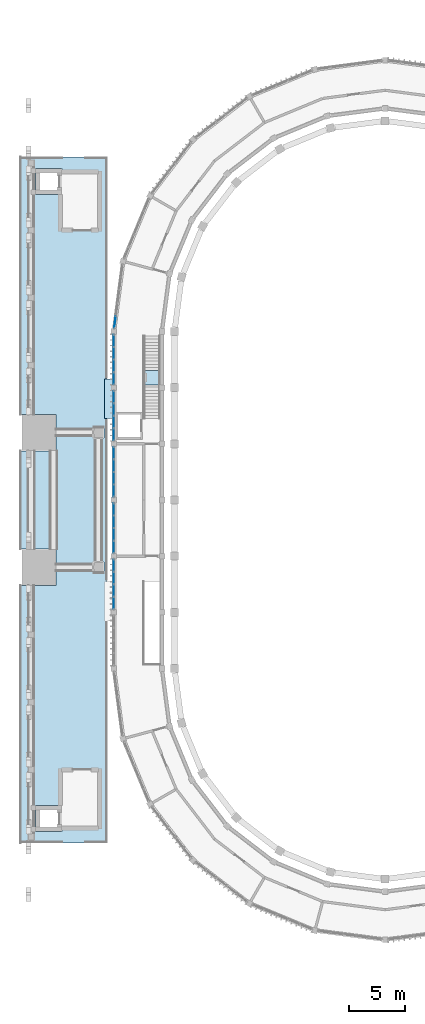
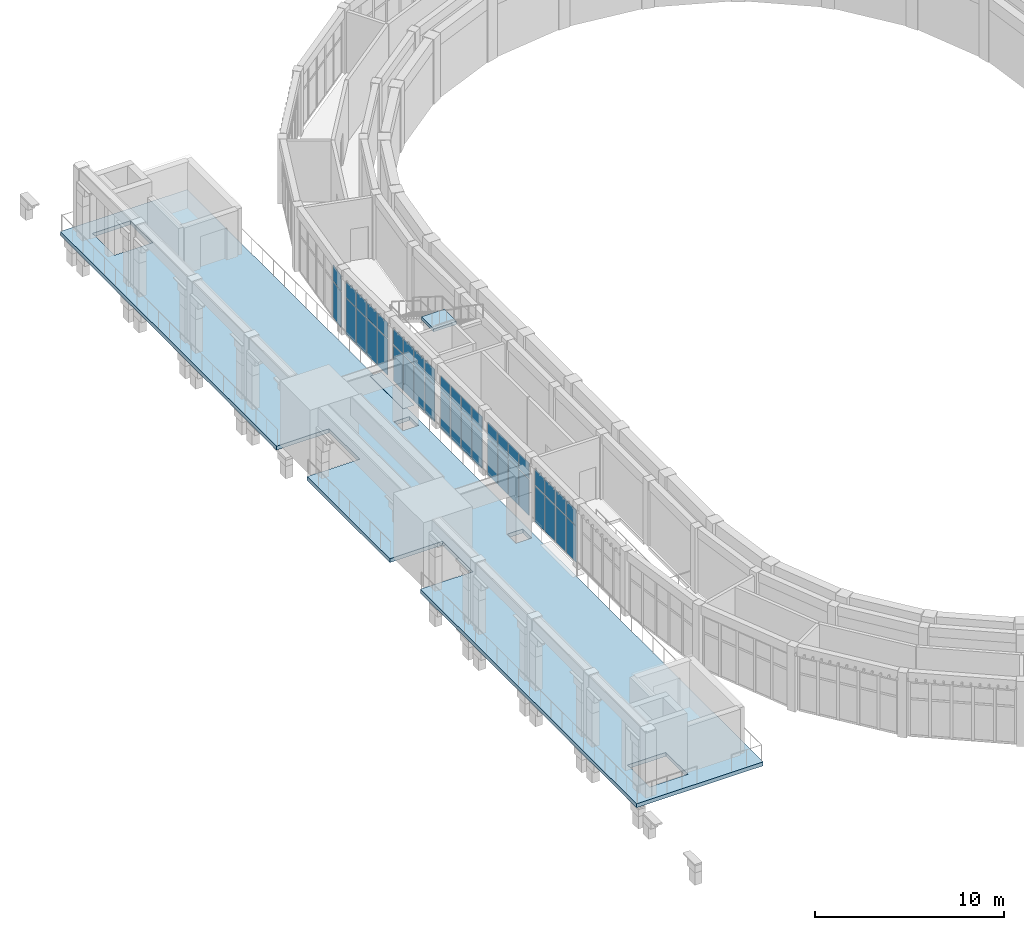
# One storey, part 41 of 99: 43 plates, 2 slabs, 7 elements without a shape of their own.
"""IFC4 building model written with IfcOpenShell, lengths in metres."""

from ifc_helpers import new_model, si_unit, direction, frame, origin, origin_2d, place, context, subcontext, project, spatial, polyline, rectangle, outline, extrude, material, layer, layer_set, type_object, element, aggregate, save


model = new_model("IFC4")

# Units and contexts
model_context = context("Model", 3, precision=1e-05, world=origin(), true_north=direction((0.0, 1.0)))
body_context = subcontext(model_context, "Body", "Model", "MODEL_VIEW")
ifc_project = project(units=[si_unit("LENGTHUNIT", "METRE"), si_unit("AREAUNIT", "SQUARE_METRE"), si_unit("VOLUMEUNIT", "CUBIC_METRE"), si_unit("PLANEANGLEUNIT", "RADIAN"), si_unit("MASSUNIT", "GRAM", prefix="KILO")], contexts=[model_context])

# Site, building, storey
site_placement = place(None, origin())
site = spatial("IfcSite", under=ifc_project, at=site_placement, CompositionType="ELEMENT")
building_placement = place(site_placement, origin())
building = spatial("IfcBuilding", under=site, at=building_placement, Name="Wasatch Bagh Community Centre", CompositionType="ELEMENT")
storey_placement = place(building_placement, frame((0.0, 0.0, 4.199951171875)))
storey = spatial("IfcBuildingStorey", under=building, at=storey_placement, Name="L01", CompositionType="ELEMENT", Elevation=4.199951171875)

# Plate
ifc_material_1 = material(Name="Aluminium chequer plate", Category="aluminium")
ifc_layer_1 = layer(ifc_material_1, 0.008056640625)
ifc_layer_set_1 = layer_set([ifc_layer_1], Name="Aluminium chequer plate")
plate_type_1 = type_object("IfcPlateType", Name="CT-J1", PredefinedType="SHEET", material=ifc_layer_set_1)
plate_1_placement = place(storey_placement, frame((11.375, 59.0, 0.0), z_axis=(0.0, 0.0, 1.0), x_axis=(1.0, 0.0, 0.0)))
element("IfcPlate", 1, at=plate_1_placement, inside=storey, type_object=plate_type_1, Name="joint cover plate 2", PredefinedType="SHEET", context=body_context, shape_type="SweptSolid", body=[
    extrude(rectangle(XDim=0.699951171875, YDim=3.5, at=origin_2d()), origin(), (0.0, 0.0, 1.0), 0.008056640625),
])

# Slab
ifc_material_2 = material(Name="Concrete C35", Category="concrete")
ifc_layer_2 = layer(ifc_material_2, 0.25)
ifc_layer_set_2 = layer_set([ifc_layer_2], Name="Concrete C35")
slab_type_1 = type_object("IfcSlabType", Name="CT-S1", PredefinedType="FLOOR", material=ifc_layer_set_2)
slab_1_placement = place(storey_placement, frame((0.0, 0.0, -0.25)))
element("IfcSlab", 2, at=slab_1_placement, inside=storey, type_object=slab_type_1, Name="CT-S1 roof terrace slab", PredefinedType="FLOOR", context=body_context, shape_type="SweptSolid", body=[
    extrude(outline(polyline([(3.5, 80.52001953125), (11.25, 80.52001953125), (11.25, 19.47998046875), (3.5, 19.47998046875), (3.5, 42.3798828125), (6.719970703125, 42.3798828125), (6.719970703125, 45.6201171875), (3.5, 45.6201171875), (3.5, 54.3798828125), (6.719970703125, 54.3798828125), (6.719970703125, 57.6201171875), (3.5, 57.6201171875), (3.5, 80.52001953125)]), holes=[polyline([(4.8798828125, 20.47998046875), (7.219970703125, 20.47998046875), (7.219970703125, 22.820068359375), (4.8798828125, 22.820068359375), (4.8798828125, 20.47998046875)]), polyline([(10.030029296875, 44.469970703125), (10.030029296875, 43.530029296875), (10.969970703125, 43.530029296875), (10.969970703125, 44.469970703125), (10.030029296875, 44.469970703125)]), polyline([(10.030029296875, 56.469970703125), (10.030029296875, 55.530029296875), (10.969970703125, 55.530029296875), (10.969970703125, 56.469970703125), (10.030029296875, 56.469970703125)]), polyline([(4.8798828125, 79.52001953125), (4.8798828125, 77.179931640625), (7.219970703125, 77.179931640625), (7.219970703125, 79.52001953125), (4.8798828125, 79.52001953125)])]), origin(), (0.0, 0.0, 1.0), 0.25),
])

# Curtain wall, plates
ifc_material_3 = material(Name="Aluminium curtain wall frame with low-iron insulated glass", Category="aluminium")
ifc_layer_3 = layer(ifc_material_3, 0.14990234375)
ifc_layer_set_3 = layer_set([ifc_layer_3], Name="Aluminium curtain wall frame with low-iron insulated glass")
curtain_wall_type_1 = type_object("IfcCurtainWallType", Name="Drum curtain wall DR-CW2", PredefinedType="NOTDEFINED", material=ifc_layer_set_3)
curtain_wall_1_placement = place(storey_placement, origin())
curtain_wall_1 = element("IfcCurtainWall", 3, at=curtain_wall_1_placement, inside=storey, type_object=curtain_wall_type_1, Name="Curtain wall DR-CW2 30", PredefinedType="NOTDEFINED")
ifc_material_4 = material(Name="Low-iron insulated glass", Category="glass")
ifc_layer_4 = layer(ifc_material_4, 0.028076171875)
ifc_layer_set_4 = layer_set([ifc_layer_4], Name="Low-iron insulated glass")
plate_type_2 = type_object("IfcPlateType", Name="Drum glass panel DR-CW2", PredefinedType="CURTAIN_PANEL", material=ifc_layer_set_4)
plate_2_placement = place(storey_placement, frame((11.961669921875, 65.84814453125, 0.06005859375), z_axis=(0.0, 0.0, 1.0), x_axis=(-0.130526192185, -0.991444861378, 0.0)))
plate_2 = element("IfcPlate", 4, at=plate_2_placement, type_object=plate_type_2, Name="DR-CW2 panel 5.1", PredefinedType="CURTAIN_PANEL", context=body_context, shape_type="SweptSolid", body=[
    extrude(rectangle(XDim=1.06591796875, YDim=0.028076171875, at=origin_2d()), origin(), (0.0, 0.0, 1.0), 2.31005859375),
])
plate_3_placement = place(storey_placement, frame((11.961669921875, 65.84814453125, 2.43017578125), z_axis=(0.0, 0.0, 1.0), x_axis=(-0.130526192185, -0.991444861378, 0.0)))
plate_3 = element("IfcPlate", 5, at=plate_3_placement, type_object=plate_type_2, Name="DR-CW2 panel 5.2", PredefinedType="CURTAIN_PANEL", context=body_context, shape_type="SweptSolid", body=[
    extrude(rectangle(XDim=1.06591796875, YDim=0.028076171875, at=origin_2d()), origin(), (0.0, 0.0, 1.0), 1.010009765625),
])
aggregate(curtain_wall_1, [plate_2, plate_3])

ifc_layer_5 = layer(ifc_material_3, 0.14990234375)
ifc_layer_set_5 = layer_set([ifc_layer_5], Name="Aluminium curtain wall frame with low-iron insulated glass")
curtain_wall_type_2 = type_object("IfcCurtainWallType", Name="Drum curtain wall DR-CW4", PredefinedType="NOTDEFINED", material=ifc_layer_set_5)
curtain_wall_2_placement = place(storey_placement, origin())
curtain_wall_2 = element("IfcCurtainWall", 6, at=curtain_wall_2_placement, inside=storey, type_object=curtain_wall_type_2, Name="Curtain wall DR-CW4 31", PredefinedType="NOTDEFINED")
ifc_layer_6 = layer(ifc_material_4, 0.028076171875)
ifc_layer_set_6 = layer_set([ifc_layer_6], Name="Low-iron insulated glass")
plate_type_3 = type_object("IfcPlateType", Name="Drum glass panel DR-CW4", PredefinedType="CURTAIN_PANEL", material=ifc_layer_set_6)
plate_4_placement = place(storey_placement, frame((11.85009765625, 64.172119140625, 0.06005859375), z_axis=(0.0, 0.0, 1.0), x_axis=(0.0, -1.0, 0.0)))
plate_4 = element("IfcPlate", 7, at=plate_4_placement, type_object=plate_type_3, Name="DR-CW4 panel 1.1", PredefinedType="CURTAIN_PANEL", context=body_context, shape_type="SweptSolid", body=[
    extrude(rectangle(XDim=1.03466796875, YDim=0.028076171875, at=origin_2d()), origin(), (0.0, 0.0, 1.0), 2.31005859375),
])
plate_5_placement = place(storey_placement, frame((11.85009765625, 64.172119140625, 2.43017578125), z_axis=(0.0, 0.0, 1.0), x_axis=(0.0, -1.0, 0.0)))
plate_5 = element("IfcPlate", 8, at=plate_5_placement, type_object=plate_type_3, Name="DR-CW4 panel 1.2", PredefinedType="CURTAIN_PANEL", context=body_context, shape_type="SweptSolid", body=[
    extrude(rectangle(XDim=1.03466796875, YDim=0.028076171875, at=origin_2d()), origin(), (0.0, 0.0, 1.0), 1.010009765625),
])
plate_6_placement = place(storey_placement, frame((11.85009765625, 63.062255859375, 0.06005859375), z_axis=(0.0, 0.0, 1.0), x_axis=(0.0, -1.0, 0.0)))
plate_6 = element("IfcPlate", 9, at=plate_6_placement, type_object=plate_type_3, Name="DR-CW4 panel 2.1", PredefinedType="CURTAIN_PANEL", context=body_context, shape_type="SweptSolid", body=[
    extrude(rectangle(XDim=1.064697265625, YDim=0.028076171875, at=origin_2d()), origin(), (0.0, 0.0, 1.0), 2.31005859375),
])
plate_7_placement = place(storey_placement, frame((11.85009765625, 63.062255859375, 2.43017578125), z_axis=(0.0, 0.0, 1.0), x_axis=(0.0, -1.0, 0.0)))
plate_7 = element("IfcPlate", 10, at=plate_7_placement, type_object=plate_type_3, Name="DR-CW4 panel 2.2", PredefinedType="CURTAIN_PANEL", context=body_context, shape_type="SweptSolid", body=[
    extrude(rectangle(XDim=1.064697265625, YDim=0.028076171875, at=origin_2d()), origin(), (0.0, 0.0, 1.0), 1.010009765625),
])
plate_8_placement = place(storey_placement, frame((11.85009765625, 61.937744140625, 0.06005859375), z_axis=(0.0, 0.0, 1.0), x_axis=(0.0, -1.0, 0.0)))
plate_8 = element("IfcPlate", 11, at=plate_8_placement, type_object=plate_type_3, Name="DR-CW4 panel 3.1", PredefinedType="CURTAIN_PANEL", context=body_context, shape_type="SweptSolid", body=[
    extrude(rectangle(XDim=1.064697265625, YDim=0.028076171875, at=origin_2d()), origin(), (0.0, 0.0, 1.0), 2.31005859375),
])
plate_9_placement = place(storey_placement, frame((11.85009765625, 61.937744140625, 2.43017578125), z_axis=(0.0, 0.0, 1.0), x_axis=(0.0, -1.0, 0.0)))
plate_9 = element("IfcPlate", 12, at=plate_9_placement, type_object=plate_type_3, Name="DR-CW4 panel 3.2", PredefinedType="CURTAIN_PANEL", context=body_context, shape_type="SweptSolid", body=[
    extrude(rectangle(XDim=1.064697265625, YDim=0.028076171875, at=origin_2d()), origin(), (0.0, 0.0, 1.0), 1.010009765625),
])
plate_10_placement = place(storey_placement, frame((11.85009765625, 60.827880859375, 0.06005859375), z_axis=(0.0, 0.0, 1.0), x_axis=(0.0, -1.0, 0.0)))
plate_10 = element("IfcPlate", 13, at=plate_10_placement, type_object=plate_type_3, Name="DR-CW4 panel 4.1", PredefinedType="CURTAIN_PANEL", context=body_context, shape_type="SweptSolid", body=[
    extrude(rectangle(XDim=1.03466796875, YDim=0.028076171875, at=origin_2d()), origin(), (0.0, 0.0, 1.0), 2.31005859375),
])
plate_11_placement = place(storey_placement, frame((11.85009765625, 60.827880859375, 2.43017578125), z_axis=(0.0, 0.0, 1.0), x_axis=(0.0, -1.0, 0.0)))
plate_11 = element("IfcPlate", 14, at=plate_11_placement, type_object=plate_type_3, Name="DR-CW4 panel 4.2", PredefinedType="CURTAIN_PANEL", context=body_context, shape_type="SweptSolid", body=[
    extrude(rectangle(XDim=1.03466796875, YDim=0.028076171875, at=origin_2d()), origin(), (0.0, 0.0, 1.0), 1.010009765625),
])
aggregate(curtain_wall_2, [plate_4, plate_5, plate_6, plate_7, plate_8, plate_9, plate_10, plate_11])

curtain_wall_3_placement = place(storey_placement, origin())
curtain_wall_3 = element("IfcCurtainWall", 15, at=curtain_wall_3_placement, inside=storey, type_object=curtain_wall_type_2, Name="Curtain wall DR-CW4 32", PredefinedType="NOTDEFINED")
plate_12_placement = place(storey_placement, frame((11.85009765625, 59.172119140625, 0.06005859375), z_axis=(0.0, 0.0, 1.0), x_axis=(0.0, -1.0, 0.0)))
plate_12 = element("IfcPlate", 16, at=plate_12_placement, type_object=plate_type_3, Name="DR-CW4 panel 1.1", PredefinedType="CURTAIN_PANEL", context=body_context, shape_type="SweptSolid", body=[
    extrude(rectangle(XDim=1.03466796875, YDim=0.028076171875, at=origin_2d()), origin(), (0.0, 0.0, 1.0), 2.31005859375),
])
plate_13_placement = place(storey_placement, frame((11.85009765625, 59.172119140625, 2.43017578125), z_axis=(0.0, 0.0, 1.0), x_axis=(0.0, -1.0, 0.0)))
plate_13 = element("IfcPlate", 17, at=plate_13_placement, type_object=plate_type_3, Name="DR-CW4 panel 1.2", PredefinedType="CURTAIN_PANEL", context=body_context, shape_type="SweptSolid", body=[
    extrude(rectangle(XDim=1.03466796875, YDim=0.028076171875, at=origin_2d()), origin(), (0.0, 0.0, 1.0), 1.010009765625),
])
plate_14_placement = place(storey_placement, frame((11.85009765625, 58.062255859375, 0.06005859375), z_axis=(0.0, 0.0, 1.0), x_axis=(0.0, -1.0, 0.0)))
plate_14 = element("IfcPlate", 18, at=plate_14_placement, type_object=plate_type_3, Name="DR-CW4 panel 2.1", PredefinedType="CURTAIN_PANEL", context=body_context, shape_type="SweptSolid", body=[
    extrude(rectangle(XDim=1.064697265625, YDim=0.028076171875, at=origin_2d()), origin(), (0.0, 0.0, 1.0), 2.31005859375),
])
plate_15_placement = place(storey_placement, frame((11.85009765625, 58.062255859375, 2.43017578125), z_axis=(0.0, 0.0, 1.0), x_axis=(0.0, -1.0, 0.0)))
plate_15 = element("IfcPlate", 19, at=plate_15_placement, type_object=plate_type_3, Name="DR-CW4 panel 2.2", PredefinedType="CURTAIN_PANEL", context=body_context, shape_type="SweptSolid", body=[
    extrude(rectangle(XDim=1.064697265625, YDim=0.028076171875, at=origin_2d()), origin(), (0.0, 0.0, 1.0), 1.010009765625),
])
plate_16_placement = place(storey_placement, frame((11.85009765625, 56.937744140625, 0.06005859375), z_axis=(0.0, 0.0, 1.0), x_axis=(0.0, -1.0, 0.0)))
plate_16 = element("IfcPlate", 20, at=plate_16_placement, type_object=plate_type_3, Name="DR-CW4 panel 3.1", PredefinedType="CURTAIN_PANEL", context=body_context, shape_type="SweptSolid", body=[
    extrude(rectangle(XDim=1.064697265625, YDim=0.028076171875, at=origin_2d()), origin(), (0.0, 0.0, 1.0), 2.31005859375),
])
plate_17_placement = place(storey_placement, frame((11.85009765625, 56.937744140625, 2.43017578125), z_axis=(0.0, 0.0, 1.0), x_axis=(0.0, -1.0, 0.0)))
plate_17 = element("IfcPlate", 21, at=plate_17_placement, type_object=plate_type_3, Name="DR-CW4 panel 3.2", PredefinedType="CURTAIN_PANEL", context=body_context, shape_type="SweptSolid", body=[
    extrude(rectangle(XDim=1.064697265625, YDim=0.028076171875, at=origin_2d()), origin(), (0.0, 0.0, 1.0), 1.010009765625),
])
plate_18_placement = place(storey_placement, frame((11.85009765625, 55.827880859375, 0.06005859375), z_axis=(0.0, 0.0, 1.0), x_axis=(0.0, -1.0, 0.0)))
plate_18 = element("IfcPlate", 22, at=plate_18_placement, type_object=plate_type_3, Name="DR-CW4 panel 4.1", PredefinedType="CURTAIN_PANEL", context=body_context, shape_type="SweptSolid", body=[
    extrude(rectangle(XDim=1.03466796875, YDim=0.028076171875, at=origin_2d()), origin(), (0.0, 0.0, 1.0), 2.31005859375),
])
plate_19_placement = place(storey_placement, frame((11.85009765625, 55.827880859375, 2.43017578125), z_axis=(0.0, 0.0, 1.0), x_axis=(0.0, -1.0, 0.0)))
plate_19 = element("IfcPlate", 23, at=plate_19_placement, type_object=plate_type_3, Name="DR-CW4 panel 4.2", PredefinedType="CURTAIN_PANEL", context=body_context, shape_type="SweptSolid", body=[
    extrude(rectangle(XDim=1.03466796875, YDim=0.028076171875, at=origin_2d()), origin(), (0.0, 0.0, 1.0), 1.010009765625),
])
aggregate(curtain_wall_3, [plate_12, plate_13, plate_14, plate_15, plate_16, plate_17, plate_18, plate_19])

curtain_wall_4_placement = place(storey_placement, origin())
curtain_wall_4 = element("IfcCurtainWall", 24, at=curtain_wall_4_placement, inside=storey, type_object=curtain_wall_type_2, Name="Curtain wall DR-CW4 33", PredefinedType="NOTDEFINED")
plate_20_placement = place(storey_placement, frame((11.85009765625, 54.172119140625, 0.06005859375), z_axis=(0.0, 0.0, 1.0), x_axis=(0.0, -1.0, 0.0)))
plate_20 = element("IfcPlate", 25, at=plate_20_placement, type_object=plate_type_3, Name="DR-CW4 panel 1.1", PredefinedType="CURTAIN_PANEL", context=body_context, shape_type="SweptSolid", body=[
    extrude(rectangle(XDim=1.03466796875, YDim=0.028076171875, at=origin_2d()), origin(), (0.0, 0.0, 1.0), 2.31005859375),
])
plate_21_placement = place(storey_placement, frame((11.85009765625, 54.172119140625, 2.43017578125), z_axis=(0.0, 0.0, 1.0), x_axis=(0.0, -1.0, 0.0)))
plate_21 = element("IfcPlate", 26, at=plate_21_placement, type_object=plate_type_3, Name="DR-CW4 panel 1.2", PredefinedType="CURTAIN_PANEL", context=body_context, shape_type="SweptSolid", body=[
    extrude(rectangle(XDim=1.03466796875, YDim=0.028076171875, at=origin_2d()), origin(), (0.0, 0.0, 1.0), 1.010009765625),
])
plate_22_placement = place(storey_placement, frame((11.85009765625, 53.062255859375, 0.06005859375), z_axis=(0.0, 0.0, 1.0), x_axis=(0.0, -1.0, 0.0)))
plate_22 = element("IfcPlate", 27, at=plate_22_placement, type_object=plate_type_3, Name="DR-CW4 panel 2.1", PredefinedType="CURTAIN_PANEL", context=body_context, shape_type="SweptSolid", body=[
    extrude(rectangle(XDim=1.064697265625, YDim=0.028076171875, at=origin_2d()), origin(), (0.0, 0.0, 1.0), 2.31005859375),
])
plate_23_placement = place(storey_placement, frame((11.85009765625, 53.062255859375, 2.43017578125), z_axis=(0.0, 0.0, 1.0), x_axis=(0.0, -1.0, 0.0)))
plate_23 = element("IfcPlate", 28, at=plate_23_placement, type_object=plate_type_3, Name="DR-CW4 panel 2.2", PredefinedType="CURTAIN_PANEL", context=body_context, shape_type="SweptSolid", body=[
    extrude(rectangle(XDim=1.064697265625, YDim=0.028076171875, at=origin_2d()), origin(), (0.0, 0.0, 1.0), 1.010009765625),
])
plate_24_placement = place(storey_placement, frame((11.85009765625, 51.937744140625, 0.06005859375), z_axis=(0.0, 0.0, 1.0), x_axis=(0.0, -1.0, 0.0)))
plate_24 = element("IfcPlate", 29, at=plate_24_placement, type_object=plate_type_3, Name="DR-CW4 panel 3.1", PredefinedType="CURTAIN_PANEL", context=body_context, shape_type="SweptSolid", body=[
    extrude(rectangle(XDim=1.064697265625, YDim=0.028076171875, at=origin_2d()), origin(), (0.0, 0.0, 1.0), 2.31005859375),
])
plate_25_placement = place(storey_placement, frame((11.85009765625, 51.937744140625, 2.43017578125), z_axis=(0.0, 0.0, 1.0), x_axis=(0.0, -1.0, 0.0)))
plate_25 = element("IfcPlate", 30, at=plate_25_placement, type_object=plate_type_3, Name="DR-CW4 panel 3.2", PredefinedType="CURTAIN_PANEL", context=body_context, shape_type="SweptSolid", body=[
    extrude(rectangle(XDim=1.064697265625, YDim=0.028076171875, at=origin_2d()), origin(), (0.0, 0.0, 1.0), 1.010009765625),
])
plate_26_placement = place(storey_placement, frame((11.85009765625, 50.827880859375, 0.06005859375), z_axis=(0.0, 0.0, 1.0), x_axis=(0.0, -1.0, 0.0)))
plate_26 = element("IfcPlate", 31, at=plate_26_placement, type_object=plate_type_3, Name="DR-CW4 panel 4.1", PredefinedType="CURTAIN_PANEL", context=body_context, shape_type="SweptSolid", body=[
    extrude(rectangle(XDim=1.03466796875, YDim=0.028076171875, at=origin_2d()), origin(), (0.0, 0.0, 1.0), 2.31005859375),
])
plate_27_placement = place(storey_placement, frame((11.85009765625, 50.827880859375, 2.43017578125), z_axis=(0.0, 0.0, 1.0), x_axis=(0.0, -1.0, 0.0)))
plate_27 = element("IfcPlate", 32, at=plate_27_placement, type_object=plate_type_3, Name="DR-CW4 panel 4.2", PredefinedType="CURTAIN_PANEL", context=body_context, shape_type="SweptSolid", body=[
    extrude(rectangle(XDim=1.03466796875, YDim=0.028076171875, at=origin_2d()), origin(), (0.0, 0.0, 1.0), 1.010009765625),
])
aggregate(curtain_wall_4, [plate_20, plate_21, plate_22, plate_23, plate_24, plate_25, plate_26, plate_27])

curtain_wall_5_placement = place(storey_placement, origin())
curtain_wall_5 = element("IfcCurtainWall", 33, at=curtain_wall_5_placement, inside=storey, type_object=curtain_wall_type_2, Name="Curtain wall DR-CW4 34", PredefinedType="NOTDEFINED")
plate_28_placement = place(storey_placement, frame((11.85009765625, 49.172119140625, 0.06005859375), z_axis=(0.0, 0.0, 1.0), x_axis=(0.0, -1.0, 0.0)))
plate_28 = element("IfcPlate", 34, at=plate_28_placement, type_object=plate_type_3, Name="DR-CW4 panel 1.1", PredefinedType="CURTAIN_PANEL", context=body_context, shape_type="SweptSolid", body=[
    extrude(rectangle(XDim=1.03466796875, YDim=0.028076171875, at=origin_2d()), origin(), (0.0, 0.0, 1.0), 2.31005859375),
])
plate_29_placement = place(storey_placement, frame((11.85009765625, 49.172119140625, 2.43017578125), z_axis=(0.0, 0.0, 1.0), x_axis=(0.0, -1.0, 0.0)))
plate_29 = element("IfcPlate", 35, at=plate_29_placement, type_object=plate_type_3, Name="DR-CW4 panel 1.2", PredefinedType="CURTAIN_PANEL", context=body_context, shape_type="SweptSolid", body=[
    extrude(rectangle(XDim=1.03466796875, YDim=0.028076171875, at=origin_2d()), origin(), (0.0, 0.0, 1.0), 1.010009765625),
])
plate_30_placement = place(storey_placement, frame((11.85009765625, 48.062255859375, 0.06005859375), z_axis=(0.0, 0.0, 1.0), x_axis=(0.0, -1.0, 0.0)))
plate_30 = element("IfcPlate", 36, at=plate_30_placement, type_object=plate_type_3, Name="DR-CW4 panel 2.1", PredefinedType="CURTAIN_PANEL", context=body_context, shape_type="SweptSolid", body=[
    extrude(rectangle(XDim=1.064697265625, YDim=0.028076171875, at=origin_2d()), origin(), (0.0, 0.0, 1.0), 2.31005859375),
])
plate_31_placement = place(storey_placement, frame((11.85009765625, 48.062255859375, 2.43017578125), z_axis=(0.0, 0.0, 1.0), x_axis=(0.0, -1.0, 0.0)))
plate_31 = element("IfcPlate", 37, at=plate_31_placement, type_object=plate_type_3, Name="DR-CW4 panel 2.2", PredefinedType="CURTAIN_PANEL", context=body_context, shape_type="SweptSolid", body=[
    extrude(rectangle(XDim=1.064697265625, YDim=0.028076171875, at=origin_2d()), origin(), (0.0, 0.0, 1.0), 1.010009765625),
])
plate_32_placement = place(storey_placement, frame((11.85009765625, 46.937744140625, 0.06005859375), z_axis=(0.0, 0.0, 1.0), x_axis=(0.0, -1.0, 0.0)))
plate_32 = element("IfcPlate", 38, at=plate_32_placement, type_object=plate_type_3, Name="DR-CW4 panel 3.1", PredefinedType="CURTAIN_PANEL", context=body_context, shape_type="SweptSolid", body=[
    extrude(rectangle(XDim=1.064697265625, YDim=0.028076171875, at=origin_2d()), origin(), (0.0, 0.0, 1.0), 2.31005859375),
])
plate_33_placement = place(storey_placement, frame((11.85009765625, 46.937744140625, 2.43017578125), z_axis=(0.0, 0.0, 1.0), x_axis=(0.0, -1.0, 0.0)))
plate_33 = element("IfcPlate", 39, at=plate_33_placement, type_object=plate_type_3, Name="DR-CW4 panel 3.2", PredefinedType="CURTAIN_PANEL", context=body_context, shape_type="SweptSolid", body=[
    extrude(rectangle(XDim=1.064697265625, YDim=0.028076171875, at=origin_2d()), origin(), (0.0, 0.0, 1.0), 1.010009765625),
])
plate_34_placement = place(storey_placement, frame((11.85009765625, 45.827880859375, 0.06005859375), z_axis=(0.0, 0.0, 1.0), x_axis=(0.0, -1.0, 0.0)))
plate_34 = element("IfcPlate", 40, at=plate_34_placement, type_object=plate_type_3, Name="DR-CW4 panel 4.1", PredefinedType="CURTAIN_PANEL", context=body_context, shape_type="SweptSolid", body=[
    extrude(rectangle(XDim=1.03466796875, YDim=0.028076171875, at=origin_2d()), origin(), (0.0, 0.0, 1.0), 2.31005859375),
])
plate_35_placement = place(storey_placement, frame((11.85009765625, 45.827880859375, 2.43017578125), z_axis=(0.0, 0.0, 1.0), x_axis=(0.0, -1.0, 0.0)))
plate_35 = element("IfcPlate", 41, at=plate_35_placement, type_object=plate_type_3, Name="DR-CW4 panel 4.2", PredefinedType="CURTAIN_PANEL", context=body_context, shape_type="SweptSolid", body=[
    extrude(rectangle(XDim=1.03466796875, YDim=0.028076171875, at=origin_2d()), origin(), (0.0, 0.0, 1.0), 1.010009765625),
])
aggregate(curtain_wall_5, [plate_28, plate_29, plate_30, plate_31, plate_32, plate_33, plate_34, plate_35])

curtain_wall_6_placement = place(storey_placement, origin())
curtain_wall_6 = element("IfcCurtainWall", 42, at=curtain_wall_6_placement, inside=storey, type_object=curtain_wall_type_2, Name="Curtain wall DR-CW4 35", PredefinedType="NOTDEFINED")
plate_36_placement = place(storey_placement, frame((11.85009765625, 44.172119140625, 0.06005859375), z_axis=(0.0, 0.0, 1.0), x_axis=(0.0, -1.0, 0.0)))
plate_36 = element("IfcPlate", 43, at=plate_36_placement, type_object=plate_type_3, Name="DR-CW4 panel 1.1", PredefinedType="CURTAIN_PANEL", context=body_context, shape_type="SweptSolid", body=[
    extrude(rectangle(XDim=1.03466796875, YDim=0.028076171875, at=origin_2d()), origin(), (0.0, 0.0, 1.0), 2.31005859375),
])
plate_37_placement = place(storey_placement, frame((11.85009765625, 44.172119140625, 2.43017578125), z_axis=(0.0, 0.0, 1.0), x_axis=(0.0, -1.0, 0.0)))
plate_37 = element("IfcPlate", 44, at=plate_37_placement, type_object=plate_type_3, Name="DR-CW4 panel 1.2", PredefinedType="CURTAIN_PANEL", context=body_context, shape_type="SweptSolid", body=[
    extrude(rectangle(XDim=1.03466796875, YDim=0.028076171875, at=origin_2d()), origin(), (0.0, 0.0, 1.0), 1.010009765625),
])
plate_38_placement = place(storey_placement, frame((11.85009765625, 43.062255859375, 0.06005859375), z_axis=(0.0, 0.0, 1.0), x_axis=(0.0, -1.0, 0.0)))
plate_38 = element("IfcPlate", 45, at=plate_38_placement, type_object=plate_type_3, Name="DR-CW4 panel 2.1", PredefinedType="CURTAIN_PANEL", context=body_context, shape_type="SweptSolid", body=[
    extrude(rectangle(XDim=1.064697265625, YDim=0.028076171875, at=origin_2d()), origin(), (0.0, 0.0, 1.0), 2.31005859375),
])
plate_39_placement = place(storey_placement, frame((11.85009765625, 43.062255859375, 2.43017578125), z_axis=(0.0, 0.0, 1.0), x_axis=(0.0, -1.0, 0.0)))
plate_39 = element("IfcPlate", 46, at=plate_39_placement, type_object=plate_type_3, Name="DR-CW4 panel 2.2", PredefinedType="CURTAIN_PANEL", context=body_context, shape_type="SweptSolid", body=[
    extrude(rectangle(XDim=1.064697265625, YDim=0.028076171875, at=origin_2d()), origin(), (0.0, 0.0, 1.0), 1.010009765625),
])
plate_40_placement = place(storey_placement, frame((11.85009765625, 41.937744140625, 0.06005859375), z_axis=(0.0, 0.0, 1.0), x_axis=(0.0, -1.0, 0.0)))
plate_40 = element("IfcPlate", 47, at=plate_40_placement, type_object=plate_type_3, Name="DR-CW4 panel 3.1", PredefinedType="CURTAIN_PANEL", context=body_context, shape_type="SweptSolid", body=[
    extrude(rectangle(XDim=1.064697265625, YDim=0.028076171875, at=origin_2d()), origin(), (0.0, 0.0, 1.0), 2.31005859375),
])
plate_41_placement = place(storey_placement, frame((11.85009765625, 41.937744140625, 2.43017578125), z_axis=(0.0, 0.0, 1.0), x_axis=(0.0, -1.0, 0.0)))
plate_41 = element("IfcPlate", 48, at=plate_41_placement, type_object=plate_type_3, Name="DR-CW4 panel 3.2", PredefinedType="CURTAIN_PANEL", context=body_context, shape_type="SweptSolid", body=[
    extrude(rectangle(XDim=1.064697265625, YDim=0.028076171875, at=origin_2d()), origin(), (0.0, 0.0, 1.0), 1.010009765625),
])
plate_42_placement = place(storey_placement, frame((11.85009765625, 40.827880859375, 0.06005859375), z_axis=(0.0, 0.0, 1.0), x_axis=(0.0, -1.0, 0.0)))
plate_42 = element("IfcPlate", 49, at=plate_42_placement, type_object=plate_type_3, Name="DR-CW4 panel 4.1", PredefinedType="CURTAIN_PANEL", context=body_context, shape_type="SweptSolid", body=[
    extrude(rectangle(XDim=1.03466796875, YDim=0.028076171875, at=origin_2d()), origin(), (0.0, 0.0, 1.0), 2.31005859375),
])
plate_43_placement = place(storey_placement, frame((11.85009765625, 40.827880859375, 2.43017578125), z_axis=(0.0, 0.0, 1.0), x_axis=(0.0, -1.0, 0.0)))
plate_43 = element("IfcPlate", 50, at=plate_43_placement, type_object=plate_type_3, Name="DR-CW4 panel 4.2", PredefinedType="CURTAIN_PANEL", context=body_context, shape_type="SweptSolid", body=[
    extrude(rectangle(XDim=1.03466796875, YDim=0.028076171875, at=origin_2d()), origin(), (0.0, 0.0, 1.0), 1.010009765625),
])
aggregate(curtain_wall_6, [plate_36, plate_37, plate_38, plate_39, plate_40, plate_41, plate_42, plate_43])

# Stair, slab
stair_type = type_object("IfcStairType", Name="Drum stair 175 x 280", PredefinedType="STRAIGHT_RUN_STAIR", material=ifc_material_2)
stair_placement = place(storey_placement, origin())
stair = element("IfcStair", 51, at=stair_placement, inside=storey, type_object=stair_type, Name="Stair NW0", PredefinedType="STRAIGHT_RUN_STAIR")
ifc_layer_7 = layer(ifc_material_2, 0.199951171875)
ifc_layer_set_7 = layer_set([ifc_layer_7], Name="Concrete C35")
slab_type_2 = type_object("IfcSlabType", Name="Drum stair landing 200", PredefinedType="LANDING", material=ifc_layer_set_7)
slab_2_placement = place(storey_placement, frame((0.0, 0.0, 1.900146484375)))
slab_2 = element("IfcSlab", 52, at=slab_2_placement, type_object=slab_type_2, Name="FST6 landing 1", PredefinedType="LANDING", context=body_context, shape_type="SweptSolid", body=[
    extrude(outline(polyline([(16.02490234375, 61.5400390625), (14.625, 61.5400390625), (14.625, 60.25), (16.02490234375, 60.25), (16.02490234375, 61.5400390625)])), origin(), (0.0, 0.0, 1.0), 0.199951171875),
])
aggregate(stair, [slab_2])

save(model, "model.ifc")
